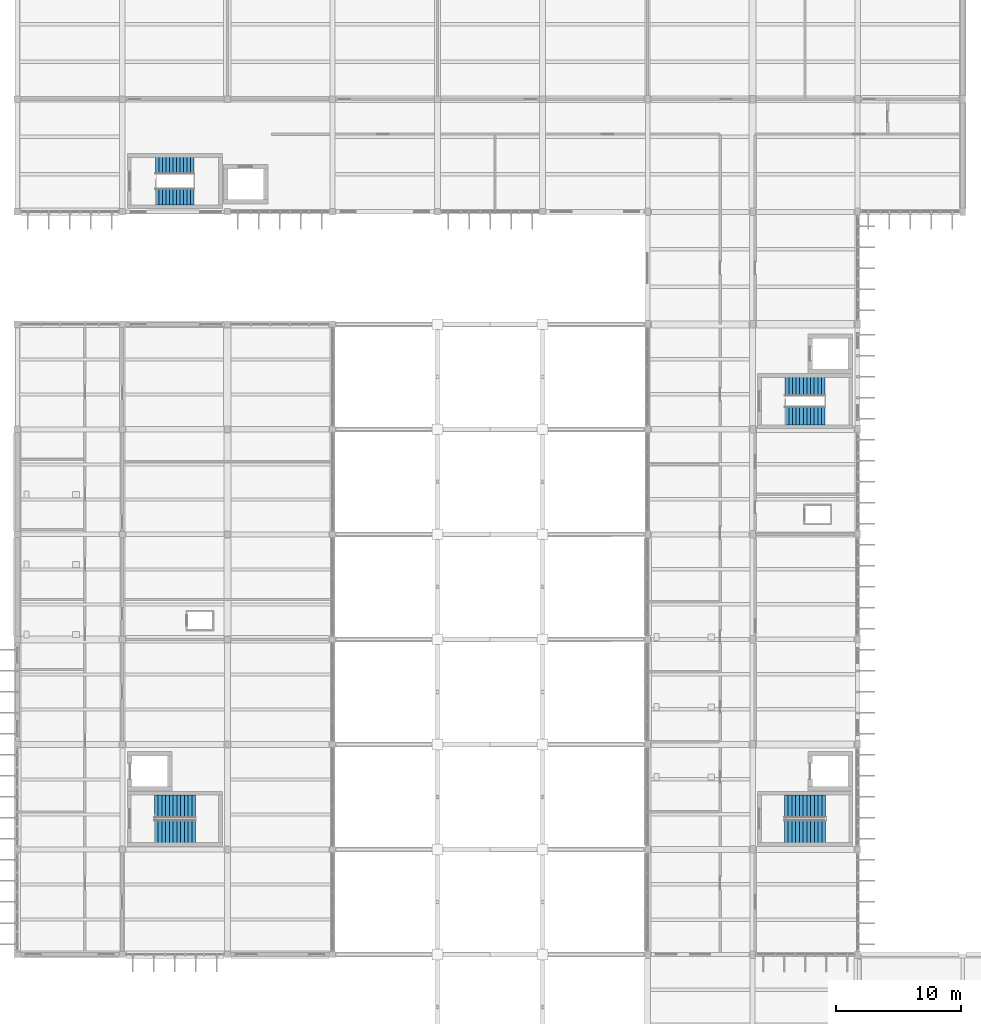
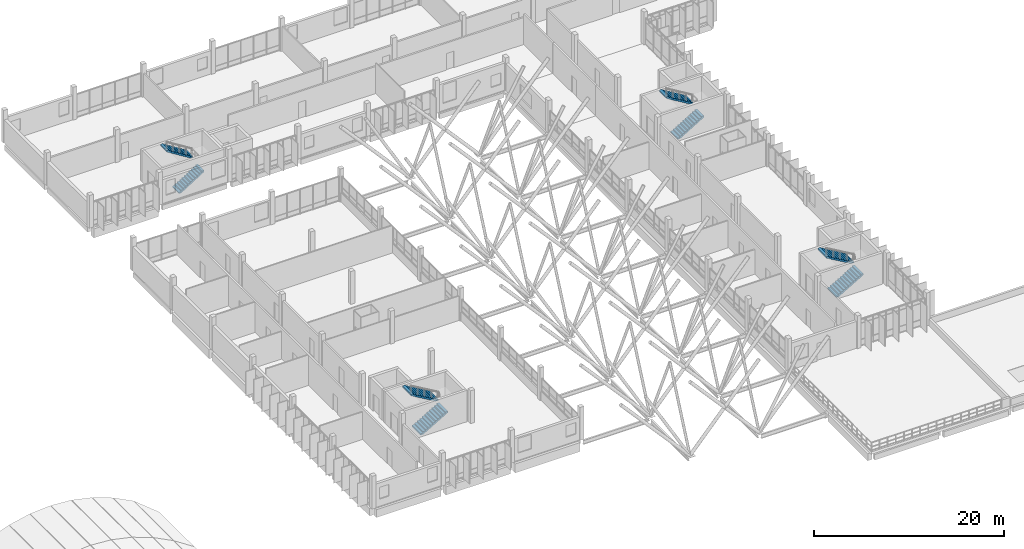
# One storey, part 98 of 107: 8 stair flights, 4 elements without a shape of their own.
"""IFC4 building model written with IfcOpenShell, lengths in metres."""

from ifc_helpers import new_model, si_unit, direction, frame, origin, place, context, subcontext, project, spatial, polyline, outline, extrude, material, type_object, element, aggregate, save


model = new_model("IFC4")

# Units and contexts
model_context = context("Model", 3, precision=1e-05, world=origin(), true_north=direction((0.0, 1.0)))
body_context = subcontext(model_context, "Body", "Model", "MODEL_VIEW")
ifc_project = project(units=[si_unit("LENGTHUNIT", "METRE"), si_unit("AREAUNIT", "SQUARE_METRE"), si_unit("VOLUMEUNIT", "CUBIC_METRE"), si_unit("PLANEANGLEUNIT", "RADIAN"), si_unit("MASSUNIT", "GRAM", prefix="KILO")], contexts=[model_context])

# Site, building, storey
site_placement = place(None, origin())
site = spatial("IfcSite", under=ifc_project, at=site_placement, CompositionType="ELEMENT")
building_placement = place(site_placement, origin())
building = spatial("IfcBuilding", under=site, at=building_placement, Name="Vireocrest Preparatory School", CompositionType="ELEMENT")
storey_placement = place(building_placement, frame((0.0, 0.0, 13.199951171875)))
storey = spatial("IfcBuildingStorey", under=building, at=storey_placement, Name="L03", CompositionType="ELEMENT", Elevation=13.199951171875)

# Stair, stair flights
ifc_material = material(Name="Concrete 40 MPa", Category="concrete")
stair_type_1 = type_object("IfcStairType", Name="Basement Service Stair 4200 Rise 1350 Wide", PredefinedType="HALF_TURN_STAIR", material=ifc_material)
stair_1_placement = place(storey_placement, origin())
stair_1 = element("IfcStair", 1, at=stair_1_placement, inside=storey, type_object=stair_type_1, Name="Two-Run Stair ST3-L03", PredefinedType="HALF_TURN_STAIR")
stair_flight_type_1 = type_object("IfcStairFlightType", Name="Stair Flight 2100 Rise 1350 Wide", PredefinedType="STRAIGHT", material=ifc_material)
stair_flight_1_placement = place(storey_placement, frame((53.06005859375, 96.0048828125, 0.0), z_axis=(0.0, 0.0, 1.0), x_axis=(1.0, 0.0, 0.0)))
stair_flight_1 = element("IfcStairFlight", 2, at=stair_flight_1_placement, type_object=stair_flight_type_1, Name="Stair Flight ST3-L03-F1", NumberOfRisers=12, NumberOfTreads=11, PredefinedType="STRAIGHT", RiserHeight=0.175, TreadLength=0.28, context=body_context, shape_type="SweptSolid", body=[
    extrude(outline(polyline([(0.0, 0.0), (0.0, 0.175048828125), (0.280029296875, 0.175048828125), (0.280029296875, 0.35009765625), (0.56005859375, 0.35009765625), (0.56005859375, 0.52490234375), (0.840087890625, 0.52490234375), (0.840087890625, 0.699951171875), (1.1201171875, 0.699951171875), (1.1201171875, 0.875), (1.39990234375, 0.875), (1.39990234375, 1.050048828125), (1.679931640625, 1.050048828125), (1.679931640625, 1.22509765625), (1.9599609375, 1.22509765625), (1.9599609375, 1.39990234375), (2.239990234375, 1.39990234375), (2.239990234375, 1.574951171875), (2.52001953125, 1.574951171875), (2.52001953125, 1.75), (2.800048828125, 1.75), (2.800048828125, 1.925048828125), (3.080078125, 1.925048828125), (3.080078125, 2.10009765625), (3.080078125, 1.736328125), (0.3017578125, 0.0), (0.0, 0.0)])), frame((0.0, 0.675048828125, 0.0), z_axis=(0.0, -1.0, 0.0), x_axis=(1.0, 0.0, 0.0)), (0.0, 0.0, 1.0), 1.35009765625),
])
stair_flight_2_placement = place(storey_placement, frame((56.139892578125, 98.4951171875, 2.10009765625), z_axis=(0.0, 0.0, 1.0), x_axis=(-1.0, 0.0, 0.0)))
stair_flight_2 = element("IfcStairFlight", 3, at=stair_flight_2_placement, type_object=stair_flight_type_1, Name="Stair Flight ST3-L03-F2", NumberOfRisers=12, NumberOfTreads=11, PredefinedType="STRAIGHT", RiserHeight=0.175, TreadLength=0.28, context=body_context, shape_type="SweptSolid", body=[
    extrude(outline(polyline([(0.0, 0.0), (0.0, 0.175048828125), (0.280029296875, 0.175048828125), (0.280029296875, 0.35009765625), (0.56005859375, 0.35009765625), (0.56005859375, 0.52490234375), (0.840087890625, 0.52490234375), (0.840087890625, 0.699951171875), (1.1201171875, 0.699951171875), (1.1201171875, 0.875), (1.39990234375, 0.875), (1.39990234375, 1.050048828125), (1.679931640625, 1.050048828125), (1.679931640625, 1.22509765625), (1.9599609375, 1.22509765625), (1.9599609375, 1.39990234375), (2.239990234375, 1.39990234375), (2.239990234375, 1.574951171875), (2.52001953125, 1.574951171875), (2.52001953125, 1.75), (2.800048828125, 1.75), (2.800048828125, 1.925048828125), (3.080078125, 1.925048828125), (3.080078125, 2.10009765625), (3.080078125, 1.736328125), (0.3017578125, 0.0), (0.0, 0.0)])), frame((0.0, 0.675048828125, 0.0), z_axis=(0.0, -1.0, 0.0), x_axis=(1.0, 0.0, 0.0)), (0.0, 0.0, 1.0), 1.35009765625),
])
aggregate(stair_1, [stair_flight_1, stair_flight_2])

stair_type_2 = type_object("IfcStairType", Name="Two-Run Exit Stair 4200 Rise 1500 Wide", PredefinedType="HALF_TURN_STAIR", material=ifc_material)
stair_2_placement = place(storey_placement, origin())
stair_2 = element("IfcStair", 4, at=stair_2_placement, inside=storey, type_object=stair_type_2, Name="Two-Run Stair ST4-L03", PredefinedType="HALF_TURN_STAIR")
stair_flight_type_2 = type_object("IfcStairFlightType", Name="Stair Flight 2100 Rise 1500 Wide", PredefinedType="STRAIGHT", material=ifc_material)
stair_flight_3_placement = place(storey_placement, frame((103.405029296875, 78.47998046875, 0.0), z_axis=(0.0, 0.0, 1.0), x_axis=(1.0, 0.0, 0.0)))
stair_flight_3 = element("IfcStairFlight", 5, at=stair_flight_3_placement, type_object=stair_flight_type_2, Name="Stair Flight ST4-L03-F1", NumberOfRisers=12, NumberOfTreads=11, PredefinedType="STRAIGHT", RiserHeight=0.175, TreadLength=0.29, context=body_context, shape_type="SweptSolid", body=[
    extrude(outline(polyline([(0.0, 0.0), (0.0, 0.175048828125), (0.2900390625, 0.175048828125), (0.2900390625, 0.35009765625), (0.580078125, 0.35009765625), (0.580078125, 0.52490234375), (0.8701171875, 0.52490234375), (0.8701171875, 0.699951171875), (1.159912109375, 0.699951171875), (1.159912109375, 0.875), (1.449951171875, 0.875), (1.449951171875, 1.050048828125), (1.739990234375, 1.050048828125), (1.739990234375, 1.22509765625), (2.030029296875, 1.22509765625), (2.030029296875, 1.39990234375), (2.320068359375, 1.39990234375), (2.320068359375, 1.574951171875), (2.610107421875, 1.574951171875), (2.610107421875, 1.75), (2.89990234375, 1.75), (2.89990234375, 1.925048828125), (3.18994140625, 1.925048828125), (3.18994140625, 2.10009765625), (3.18994140625, 1.73828125), (0.3095703125, 0.0), (0.0, 0.0)])), frame((0.0, 0.75, 0.0), z_axis=(0.0, -1.0, 0.0), x_axis=(1.0, 0.0, 0.0)), (0.0, 0.0, 1.0), 1.5),
])
stair_flight_4_placement = place(storey_placement, frame((106.594970703125, 80.820068359375, 2.10009765625), z_axis=(0.0, 0.0, 1.0), x_axis=(-1.0, 0.0, 0.0)))
stair_flight_4 = element("IfcStairFlight", 6, at=stair_flight_4_placement, type_object=stair_flight_type_2, Name="Stair Flight ST4-L03-F2", NumberOfRisers=12, NumberOfTreads=11, PredefinedType="STRAIGHT", RiserHeight=0.175, TreadLength=0.29, context=body_context, shape_type="SweptSolid", body=[
    extrude(outline(polyline([(0.0, 0.0), (0.0, 0.175048828125), (0.2900390625, 0.175048828125), (0.2900390625, 0.35009765625), (0.580078125, 0.35009765625), (0.580078125, 0.52490234375), (0.8701171875, 0.52490234375), (0.8701171875, 0.699951171875), (1.159912109375, 0.699951171875), (1.159912109375, 0.875), (1.449951171875, 0.875), (1.449951171875, 1.050048828125), (1.739990234375, 1.050048828125), (1.739990234375, 1.22509765625), (2.030029296875, 1.22509765625), (2.030029296875, 1.39990234375), (2.320068359375, 1.39990234375), (2.320068359375, 1.574951171875), (2.610107421875, 1.574951171875), (2.610107421875, 1.75), (2.89990234375, 1.75), (2.89990234375, 1.925048828125), (3.18994140625, 1.925048828125), (3.18994140625, 2.10009765625), (3.18994140625, 1.73828125), (0.3095703125, 0.0), (0.0, 0.0)])), frame((0.0, 0.75, 0.0), z_axis=(0.0, -1.0, 0.0), x_axis=(1.0, 0.0, 0.0)), (0.0, 0.0, 1.0), 1.5),
])
aggregate(stair_2, [stair_flight_3, stair_flight_4])

stair_type_3 = type_object("IfcStairType", Name="Feature Library Stair 4200 Rise 1800 Wide", PredefinedType="HALF_TURN_STAIR", material=ifc_material)
stair_3_placement = place(storey_placement, origin())
stair_3 = element("IfcStair", 7, at=stair_3_placement, inside=storey, type_object=stair_type_3, Name="Two-Run Stair ST1-L03", PredefinedType="HALF_TURN_STAIR")
stair_flight_type_3 = type_object("IfcStairFlightType", Name="Stair Flight 2100 Rise 1800 Wide", PredefinedType="STRAIGHT", material=ifc_material)
stair_flight_5_placement = place(storey_placement, frame((52.949951171875, 45.2548828125, 0.0), z_axis=(0.0, 0.0, 1.0), x_axis=(1.0, 0.0, 0.0)))
stair_flight_5 = element("IfcStairFlight", 8, at=stair_flight_5_placement, type_object=stair_flight_type_3, Name="Stair Flight ST1-L03-F1", NumberOfRisers=12, NumberOfTreads=11, PredefinedType="STRAIGHT", RiserHeight=0.175, TreadLength=0.3, context=body_context, shape_type="SweptSolid", body=[
    extrude(outline(polyline([(0.0, 0.0), (0.0, 0.175048828125), (0.300048828125, 0.175048828125), (0.300048828125, 0.35009765625), (0.60009765625, 0.35009765625), (0.60009765625, 0.52490234375), (0.89990234375, 0.52490234375), (0.89990234375, 0.699951171875), (1.199951171875, 0.699951171875), (1.199951171875, 0.875), (1.5, 0.875), (1.5, 1.050048828125), (1.800048828125, 1.050048828125), (1.800048828125, 1.22509765625), (2.10009765625, 1.22509765625), (2.10009765625, 1.39990234375), (2.39990234375, 1.39990234375), (2.39990234375, 1.574951171875), (2.699951171875, 1.574951171875), (2.699951171875, 1.75), (3.0, 1.75), (3.0, 1.925048828125), (3.300048828125, 1.925048828125), (3.300048828125, 2.10009765625), (3.300048828125, 1.739990234375), (0.3173828125, 0.0), (0.0, 0.0)])), frame((0.0, 0.925048828125, 0.0), z_axis=(0.0, -1.0, 0.0), x_axis=(1.0, 0.0, 0.0)), (0.0, 0.0, 1.0), 1.85009765625),
])
stair_flight_6_placement = place(storey_placement, frame((56.25, 47.2451171875, 2.10009765625), z_axis=(0.0, 0.0, 1.0), x_axis=(-1.0, 0.0, 0.0)))
stair_flight_6 = element("IfcStairFlight", 9, at=stair_flight_6_placement, type_object=stair_flight_type_3, Name="Stair Flight ST1-L03-F2", NumberOfRisers=12, NumberOfTreads=11, PredefinedType="STRAIGHT", RiserHeight=0.175, TreadLength=0.3, context=body_context, shape_type="SweptSolid", body=[
    extrude(outline(polyline([(0.0, 0.0), (0.0, 0.175048828125), (0.300048828125, 0.175048828125), (0.300048828125, 0.35009765625), (0.60009765625, 0.35009765625), (0.60009765625, 0.52490234375), (0.89990234375, 0.52490234375), (0.89990234375, 0.699951171875), (1.199951171875, 0.699951171875), (1.199951171875, 0.875), (1.5, 0.875), (1.5, 1.050048828125), (1.800048828125, 1.050048828125), (1.800048828125, 1.22509765625), (2.10009765625, 1.22509765625), (2.10009765625, 1.39990234375), (2.39990234375, 1.39990234375), (2.39990234375, 1.574951171875), (2.699951171875, 1.574951171875), (2.699951171875, 1.75), (3.0, 1.75), (3.0, 1.925048828125), (3.300048828125, 1.925048828125), (3.300048828125, 2.10009765625), (3.300048828125, 1.739990234375), (0.3173828125, 0.0), (0.0, 0.0)])), frame((0.0, 0.925048828125, 0.0), z_axis=(0.0, -1.0, 0.0), x_axis=(1.0, 0.0, 0.0)), (0.0, 0.0, 1.0), 1.85009765625),
])
aggregate(stair_3, [stair_flight_5, stair_flight_6])

stair_4_placement = place(storey_placement, origin())
stair_4 = element("IfcStair", 10, at=stair_4_placement, inside=storey, type_object=stair_type_3, Name="Two-Run Stair ST2-L03", PredefinedType="HALF_TURN_STAIR")
stair_flight_7_placement = place(storey_placement, frame((103.35009765625, 45.2548828125, 0.0), z_axis=(0.0, 0.0, 1.0), x_axis=(1.0, 0.0, 0.0)))
stair_flight_7 = element("IfcStairFlight", 11, at=stair_flight_7_placement, type_object=stair_flight_type_3, Name="Stair Flight ST2-L03-F1", NumberOfRisers=12, NumberOfTreads=11, PredefinedType="STRAIGHT", RiserHeight=0.175, TreadLength=0.3, context=body_context, shape_type="SweptSolid", body=[
    extrude(outline(polyline([(0.0, 0.0), (0.0, 0.175048828125), (0.300048828125, 0.175048828125), (0.300048828125, 0.35009765625), (0.60009765625, 0.35009765625), (0.60009765625, 0.52490234375), (0.89990234375, 0.52490234375), (0.89990234375, 0.699951171875), (1.199951171875, 0.699951171875), (1.199951171875, 0.875), (1.5, 0.875), (1.5, 1.050048828125), (1.800048828125, 1.050048828125), (1.800048828125, 1.22509765625), (2.10009765625, 1.22509765625), (2.10009765625, 1.39990234375), (2.39990234375, 1.39990234375), (2.39990234375, 1.574951171875), (2.699951171875, 1.574951171875), (2.699951171875, 1.75), (3.0, 1.75), (3.0, 1.925048828125), (3.300048828125, 1.925048828125), (3.300048828125, 2.10009765625), (3.300048828125, 1.739990234375), (0.3173828125, 0.0), (0.0, 0.0)])), frame((0.0, 0.925048828125, 0.0), z_axis=(0.0, -1.0, 0.0), x_axis=(1.0, 0.0, 0.0)), (0.0, 0.0, 1.0), 1.85009765625),
])
stair_flight_8_placement = place(storey_placement, frame((106.64990234375, 47.2451171875, 2.10009765625), z_axis=(0.0, 0.0, 1.0), x_axis=(-1.0, 0.0, 0.0)))
stair_flight_8 = element("IfcStairFlight", 12, at=stair_flight_8_placement, type_object=stair_flight_type_3, Name="Stair Flight ST2-L03-F2", NumberOfRisers=12, NumberOfTreads=11, PredefinedType="STRAIGHT", RiserHeight=0.175, TreadLength=0.3, context=body_context, shape_type="SweptSolid", body=[
    extrude(outline(polyline([(0.0, 0.0), (0.0, 0.175048828125), (0.300048828125, 0.175048828125), (0.300048828125, 0.35009765625), (0.60009765625, 0.35009765625), (0.60009765625, 0.52490234375), (0.89990234375, 0.52490234375), (0.89990234375, 0.699951171875), (1.199951171875, 0.699951171875), (1.199951171875, 0.875), (1.5, 0.875), (1.5, 1.050048828125), (1.800048828125, 1.050048828125), (1.800048828125, 1.22509765625), (2.10009765625, 1.22509765625), (2.10009765625, 1.39990234375), (2.39990234375, 1.39990234375), (2.39990234375, 1.574951171875), (2.699951171875, 1.574951171875), (2.699951171875, 1.75), (3.0, 1.75), (3.0, 1.925048828125), (3.300048828125, 1.925048828125), (3.300048828125, 2.10009765625), (3.300048828125, 1.739990234375), (0.3173828125, 0.0), (0.0, 0.0)])), frame((0.0, 0.925048828125, 0.0), z_axis=(0.0, -1.0, 0.0), x_axis=(1.0, 0.0, 0.0)), (0.0, 0.0, 1.0), 1.85009765625),
])
aggregate(stair_4, [stair_flight_7, stair_flight_8])

save(model, "model.ifc")
